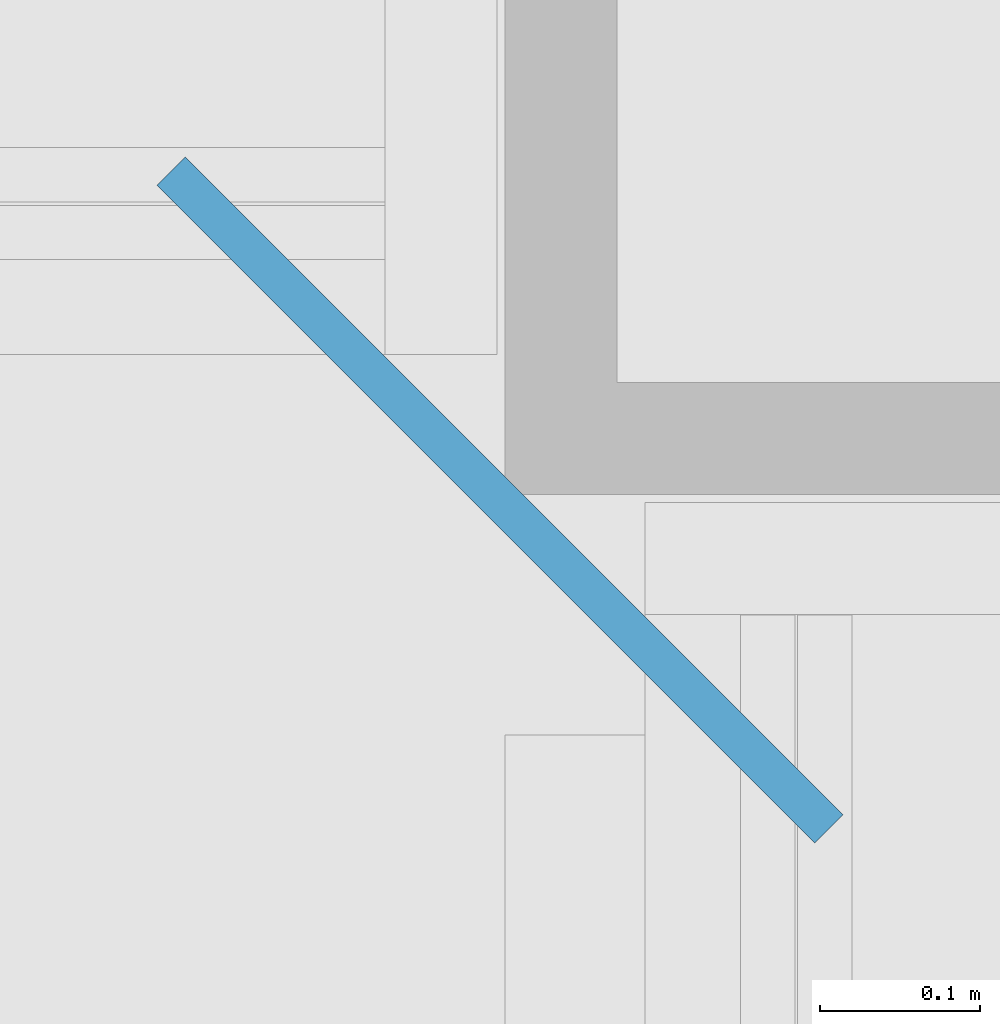
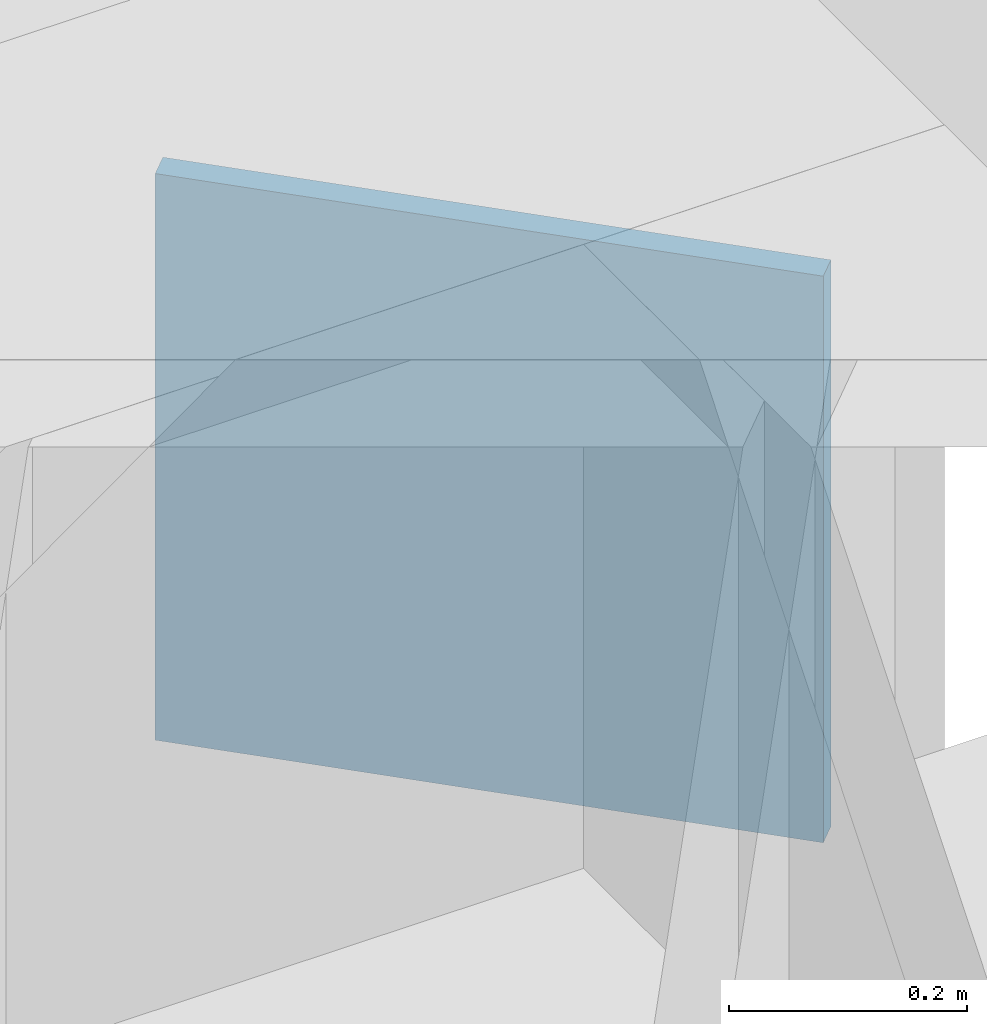
# One storey, part 18 of 26: 1 plate.
"""IFC4 building model written with IfcOpenShell, lengths in metres."""

import ifcopenshell
import ifcopenshell.guid

model = None  # the IFC model being written
_history = None  # IfcOwnerHistory: only IFC2X3 demands one
_inside = {}  # id of a spatial element -> (the spatial element, [elements in it])
_under = {}  # id of a project, library or spatial element -> (it, [spatial elements below it])
_declared = {}  # id of a project -> (the project, [libraries it declares])
_typed = {}  # id of a type object -> (the type object, [elements of that type])
_made_of = {}  # id of a material, layer set ... -> (it, [elements and type objects made of it])


def new_model(schema):
    """Start an empty IFC model of exactly this schema.

    Asked for "IFC4X3", IfcOpenShell would pick the latest addendum, in which some entities
    have other attributes; the version numbers below select the first issue.
    IFC2X3 requires an IfcOwnerHistory on every rooted entity: one is made here for all.
    """
    global model, _history
    if schema == "IFC4X3":
        model = ifcopenshell.file(schema_version=(4, 3, 0, 0))
    else:
        model = ifcopenshell.file(schema=schema)
    _inside.clear()
    _under.clear()
    _declared.clear()
    _typed.clear()
    _made_of.clear()
    _history = None
    if model.schema == "IFC2X3":
        org = make("IfcOrganization", Name="unknown")
        user = make(
            "IfcPersonAndOrganization",
            ThePerson=make("IfcPerson", FamilyName="unknown"),
            TheOrganization=org,
        )
        app = make(
            "IfcApplication",
            ApplicationDeveloper=org,
            Version="unknown",
            ApplicationFullName="unknown",
            ApplicationIdentifier="unknown",
        )
        _history = make(
            "IfcOwnerHistory",
            OwningUser=user,
            OwningApplication=app,
            ChangeAction="ADDED",
            CreationDate=0,
        )
    return model


def make(cls, **values):
    """One entity of the class cls with the attributes given. An attribute that is None is left unset."""
    return model.create_entity(
        cls, **{name: value for name, value in values.items() if value is not None}
    )


def rooted(cls, **values):
    """An entity with a GlobalId (a new one), such as an element, a storey or a relation."""
    return make(cls, GlobalId=ifcopenshell.guid.new(), OwnerHistory=_history, **values)


def si_unit(unit_type, name, prefix=None):
    """IfcSIUnit, for example si_unit("LENGTHUNIT", "METRE", prefix="MILLI")."""
    return make("IfcSIUnit", UnitType=unit_type, Prefix=prefix, Name=name)


def assignment(units):
    """IfcUnitAssignment: the units of a project."""
    return None if units is None else make("IfcUnitAssignment", Units=units)


def point(xyz):
    """IfcCartesianPoint."""
    return None if xyz is None else make("IfcCartesianPoint", Coordinates=xyz)


def direction(xyz):
    """IfcDirection."""
    return None if xyz is None else make("IfcDirection", DirectionRatios=xyz)


def frame(location, z_axis=None, x_axis=None):
    """IfcAxis2Placement3D, a coordinate frame: its origin and axes. An axis left out is left unset."""
    return make(
        "IfcAxis2Placement3D",
        Location=point(location),
        Axis=direction(z_axis),
        RefDirection=direction(x_axis),
    )


def frame_2d(location, x_axis=None):
    """IfcAxis2Placement2D, a coordinate frame in the plane: its origin and x axis."""
    return make(
        "IfcAxis2Placement2D", Location=point(location), RefDirection=direction(x_axis)
    )


def origin():
    """The frame at (0, 0, 0) with its axes left unset."""
    return frame((0.0, 0.0, 0.0))


def origin_2d():
    """The frame at (0, 0) in the plane with its x axis left unset."""
    return frame_2d((0.0, 0.0))


def place(relative_to, where):
    """IfcLocalPlacement: puts the frame where relative to a parent placement (None: the world)."""
    return make(
        "IfcLocalPlacement", PlacementRelTo=relative_to, RelativePlacement=where
    )


def context(
    kind, dimensions, precision=None, world=None, true_north=None, identifier=None
):
    """IfcGeometricRepresentationContext, for example the 3D "Model" context."""
    return make(
        "IfcGeometricRepresentationContext",
        ContextIdentifier=identifier,
        ContextType=kind,
        CoordinateSpaceDimension=dimensions,
        Precision=precision,
        WorldCoordinateSystem=world,
        TrueNorth=true_north,
    )


def subcontext(parent, identifier, kind, view, scale=None):
    """IfcGeometricRepresentationSubContext, for example "Body" below "Model"."""
    return make(
        "IfcGeometricRepresentationSubContext",
        ContextIdentifier=identifier,
        ContextType=kind,
        ParentContext=parent,
        TargetScale=scale,
        TargetView=view,
    )


def project(units=None, contexts=None):
    """IfcProject with its units and contexts."""
    return rooted(
        "IfcProject",
        Name="project",
        RepresentationContexts=contexts,
        UnitsInContext=assignment(units),
    )


def spatial(cls, under=None, at=None, **own):
    """A site, building, storey or space (cls), placed at a placement, below another one or the project."""
    s = rooted(cls, ObjectPlacement=at, **own)
    if under is not None:
        _under.setdefault(under.id(), (under, []))[1].append(s)
    return s


def profile(cls, at=None, kind="AREA", **sizes):
    """A parametric profile (cls). Its sizes go by their IFC names, for example OverallWidth=200.0."""
    return make(cls, ProfileType=kind, Position=at, **sizes)


def rectangle(**sizes):
    """IfcRectangleProfileDef."""
    return profile("IfcRectangleProfileDef", **sizes)


def extrude(swept, where, along, depth):
    """IfcExtrudedAreaSolid: the profile swept, set in the frame where, extruded along a direction by depth."""
    return make(
        "IfcExtrudedAreaSolid",
        SweptArea=swept,
        Position=where,
        ExtrudedDirection=direction(along),
        Depth=depth,
    )


def shape(context_of_items, identifier, shape_type, items):
    """IfcShapeRepresentation: the items that make up one representation, for example the "Body"."""
    return make(
        "IfcShapeRepresentation",
        ContextOfItems=context_of_items,
        RepresentationIdentifier=identifier,
        RepresentationType=shape_type,
        Items=items,
    )


def material(Name=None, Category=None):
    """IfcMaterial."""
    return make("IfcMaterial", Name=Name, Category=Category)


def layer(
    of_material, thickness, ventilated=None, Name=None, Category=None, Priority=None
):
    """IfcMaterialLayer: one layer of a wall or slab, of a material (None: an air gap)."""
    return make(
        "IfcMaterialLayer",
        Material=of_material,
        LayerThickness=thickness,
        IsVentilated=ventilated,
        Name=Name,
        Category=Category,
        Priority=Priority,
    )


def layer_set(layers, Name=None):
    """IfcMaterialLayerSet."""
    return make("IfcMaterialLayerSet", MaterialLayers=layers, LayerSetName=Name)


def made_of(thing, what):
    """Note that an element or type object is made of a material, layer set ...; save() writes the relation."""
    if what is not None:
        _made_of.setdefault(what.id(), (what, []))[1].append(thing)
    return thing


def type_object(cls, material=None, **own):
    """A type object (cls), such as IfcWallType, which elements share."""
    return made_of(rooted(cls, **own), material)


def element(
    cls,
    number,
    at=None,
    inside=None,
    cuts=None,
    type_object=None,
    material=None,
    context=None,
    identifier="Body",
    shape_type=None,
    held_by="IfcProductDefinitionShape",
    body=None,
    shapes=None,
    **own,
):
    """One element of the class cls, such as IfcWall. Its Tag is "e" and its number.

    at: its placement. inside: the storey or other place that contains it. cuts: it is an
    opening in that element (IfcRelVoidsElement). A single representation is given by context,
    identifier, shape_type and body (its items); several are given by shapes. held_by: the class
    of the entity that holds the representations. save() writes the other relations.
    """
    e = rooted(cls, Tag="e%d" % number, ObjectPlacement=at, **own)
    if body is not None:
        shapes = [shape(context, identifier, shape_type, body)]
    if shapes is not None:
        e.Representation = make(held_by, Representations=shapes)
    if inside is not None:
        _inside.setdefault(inside.id(), (inside, []))[1].append(e)
    if cuts is not None:
        rooted(
            "IfcRelVoidsElement", RelatingBuildingElement=cuts, RelatedOpeningElement=e
        )
    if type_object is not None:
        _typed.setdefault(type_object.id(), (type_object, []))[1].append(e)
    return made_of(e, material)


def aggregate(whole, parts):
    """IfcRelAggregates: a whole, such as a stair, and the parts it consists of."""
    return rooted("IfcRelAggregates", RelatingObject=whole, RelatedObjects=parts)


def save(model, path):
    """Write the relations noted so far, then the file.

    IfcRelAggregates (storeys below a building ...), IfcRelContainedInSpatialStructure (elements
    in a storey), IfcRelDefinesByType, IfcRelAssociatesMaterial and IfcRelDeclares: one each for
    every whole, place, type object, material and project.
    """
    for whole, parts in _under.values():
        aggregate(whole, parts)
    for where, things in _inside.values():
        rooted(
            "IfcRelContainedInSpatialStructure",
            RelatedElements=things,
            RelatingStructure=where,
        )
    for kind, things in _typed.values():
        rooted("IfcRelDefinesByType", RelatedObjects=things, RelatingType=kind)
    for what, things in _made_of.values():
        rooted("IfcRelAssociatesMaterial", RelatedObjects=things, RelatingMaterial=what)
    for by, libraries in _declared.values():
        rooted("IfcRelDeclares", RelatingContext=by, RelatedDefinitions=libraries)
    model.write(path)


model = new_model("IFC4")

# Units and contexts
model_context = context("Model", 3, precision=1e-05, world=origin(), true_north=direction((0.0, 1.0)))
body_context = subcontext(model_context, "Body", "Model", "MODEL_VIEW")
ifc_project = project(units=[si_unit("LENGTHUNIT", "METRE"), si_unit("AREAUNIT", "SQUARE_METRE"), si_unit("VOLUMEUNIT", "CUBIC_METRE"), si_unit("PLANEANGLEUNIT", "RADIAN"), si_unit("MASSUNIT", "GRAM", prefix="KILO")], contexts=[model_context])

# Site, building, storey
site_placement = place(None, origin())
site = spatial("IfcSite", under=ifc_project, at=site_placement, CompositionType="ELEMENT")
building_placement = place(site_placement, origin())
building = spatial("IfcBuilding", under=site, at=building_placement, Name="Kopane Lantern Tower", CompositionType="ELEMENT")
storey_placement = place(building_placement, frame((0.0, 0.0, 98.0)))
storey = spatial("IfcBuildingStorey", under=building, at=storey_placement, Name="L24", CompositionType="ELEMENT", Elevation=98.0)

# Plate
ifc_material = material(Name="Steel S355JR", Category="steel")
ifc_layer = layer(ifc_material, 0.02490234375)
ifc_layer_set = layer_set([ifc_layer], Name="STEEL END CAP PLATE PL25")
plate_type = type_object("IfcPlateType", Name="STEEL END CAP PLATE PL25", PredefinedType="USERDEFINED", material=ifc_layer_set)
plate_placement = place(storey_placement, frame((52.296875, 49.5966796875, -0.890625), z_axis=(0.0, 0.0, 1.0), x_axis=(0.707106781187, 0.707106781187, 0.0)))
element("IfcPlate", 1, at=plate_placement, inside=storey, type_object=plate_type, Name="Corner tie beam end cap plate L24", ObjectType="PLATE", PredefinedType="USERDEFINED", context=body_context, shape_type="SweptSolid", body=[
    extrude(rectangle(XDim=0.02490234375, YDim=0.5810546875, at=origin_2d()), origin(), (0.0, 0.0, 1.0), 0.5810546875),
])

save(model, "model.ifc")
